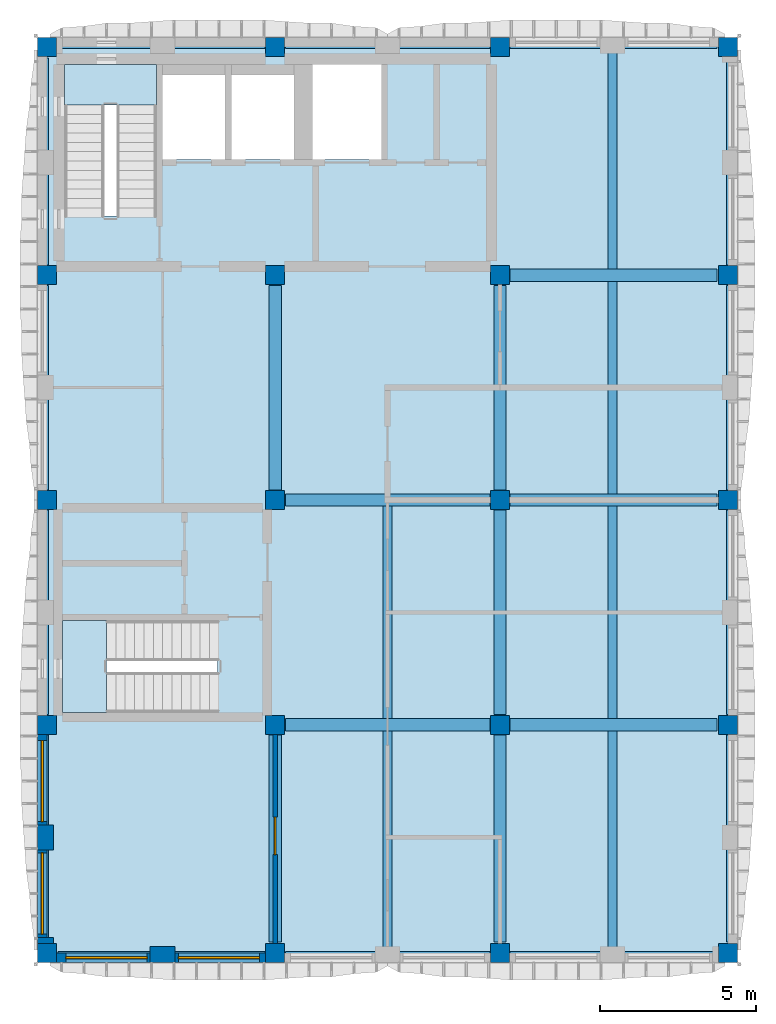
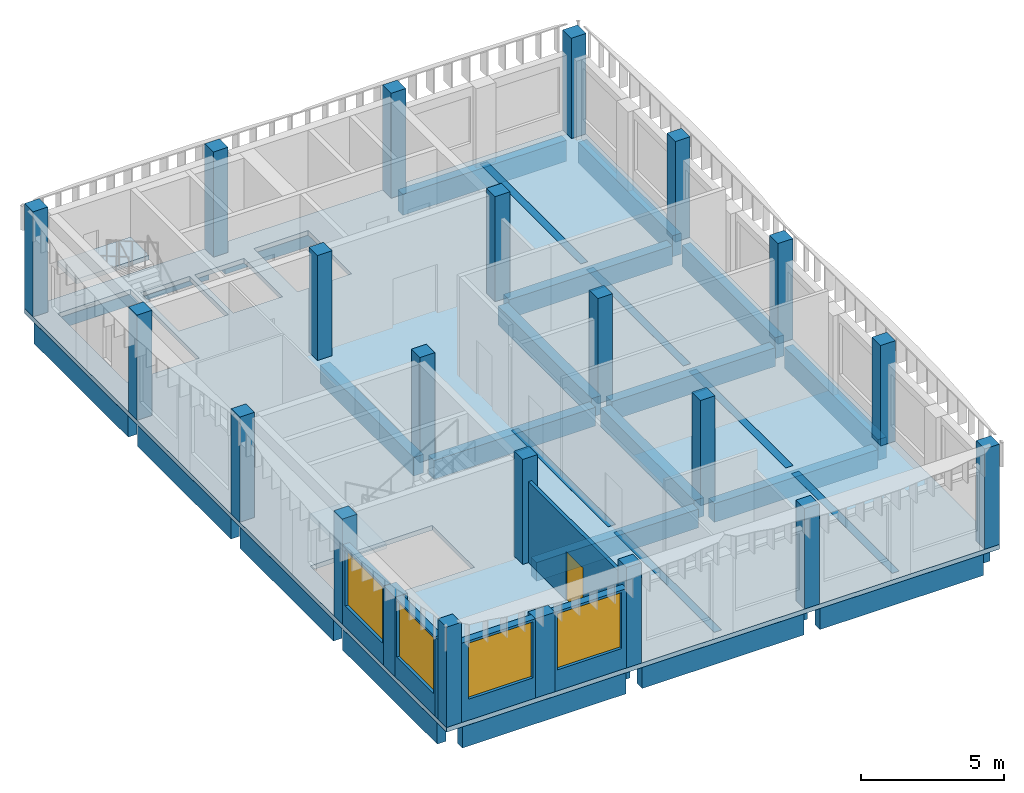
# One storey, part 1 of 10: 30 beams, 20 columns, 8 walls, 4 windows, 3 slabs, 1 door, 5 openings, 2 elements without a shape of their own.
"""IFC4 building model written with IfcOpenShell, lengths in metres."""

from ifc_helpers import new_model, si_unit, direction, frame, frame_2d, origin, origin_2d, place, context, subcontext, project, spatial, polyline, rectangle, outline, extrude, material, layer, layer_set, material_profile, profile_set, type_object, element, fill, aggregate, save


model = new_model("IFC4")

# Units and contexts
model_context = context("Model", 3, precision=1e-05, world=origin(), true_north=direction((0.0, 1.0)))
body_context = subcontext(model_context, "Body", "Model", "MODEL_VIEW")
ifc_project = project(units=[si_unit("LENGTHUNIT", "METRE"), si_unit("AREAUNIT", "SQUARE_METRE"), si_unit("VOLUMEUNIT", "CUBIC_METRE"), si_unit("PLANEANGLEUNIT", "RADIAN"), si_unit("MASSUNIT", "GRAM", prefix="KILO")], contexts=[model_context])

# Site, building, storey
site_placement = place(None, origin())
site = spatial("IfcSite", under=ifc_project, at=site_placement, CompositionType="ELEMENT")
building_placement = place(site_placement, origin())
building = spatial("IfcBuilding", under=site, at=building_placement, Name="Ussher Court Research Institute", CompositionType="ELEMENT")
storey_placement = place(building_placement, frame((0.0, 0.0, 36.89990234375)))
storey = spatial("IfcBuildingStorey", under=building, at=storey_placement, Name="L08", CompositionType="ELEMENT", Elevation=36.89990234375)

# Columns
ifc_material_1 = material(Name="Concrete C35/45", Category="concrete")
ifc_material_profile_1 = material_profile(ifc_material_1, rectangle(XDim=0.60009765625, YDim=0.60009765625, at=origin_2d()), Name="RC 600x600")
ifc_profile_set_1 = profile_set([ifc_material_profile_1], Name="Concrete C35/45")
column_type = type_object("IfcColumnType", Name="RC 600x600 column", PredefinedType="COLUMN", material=ifc_profile_set_1)
column_1_placement = place(storey_placement, frame((82.10009765625, 3.89990234375, 0.0), z_axis=(0.0, 0.0, 1.0), x_axis=(1.0, 0.0, 0.0)))
element("IfcColumn", 1, at=column_1_placement, inside=storey, type_object=column_type, Name="C6 V4 L08-01", PredefinedType="COLUMN", context=body_context, shape_type="SweptSolid", body=[
    extrude(rectangle(XDim=0.60009765625, YDim=0.60009765625, at=origin_2d()), origin(), (0.0, 0.0, 1.0), 4.300048828125),
])
for number, where, z_axis, x_axis, name in (
    (2, (82.10009765625, 11.199951171875, 0.0), (0.0, 0.0, 1.0), (1.0, 0.0, 0.0), "C6 V4 L08-02"),
    (3, (82.10009765625, 18.39990234375, 0.0), (0.0, 0.0, 1.0), (1.0, 0.0, 0.0), "C6 V4 L08-03"),
    (4, (82.10009765625, 25.60009765625, 0.0), (0.0, 0.0, 1.0), (1.0, 0.0, 0.0), "C6 V4 L08-04"),
    (5, (82.10009765625, 32.89990234375, 0.0), (0.0, 0.0, 1.0), (1.0, 0.0, 0.0), "C6 V4 L08-05"),
):
    element("IfcColumn", number, at=place(storey_placement, frame(where, z_axis=z_axis, x_axis=x_axis)), inside=storey, type_object=column_type, Name=name, PredefinedType="COLUMN", context=body_context, shape_type="SweptSolid", body=[
        extrude(rectangle(XDim=0.60009765625, YDim=0.60009765625, at=origin_2d()), origin(), (0.0, 0.0, 1.0), 4.5),
    ])
column_2_placement = place(storey_placement, frame((89.39990234375, 3.89990234375, 0.0), z_axis=(0.0, 0.0, 1.0), x_axis=(1.0, 0.0, 0.0)))
element("IfcColumn", 6, at=column_2_placement, inside=storey, type_object=column_type, Name="C6 V4 L08-06", PredefinedType="COLUMN", context=body_context, shape_type="SweptSolid", body=[
    extrude(rectangle(XDim=0.60009765625, YDim=0.60009765625, at=origin_2d()), origin(), (0.0, 0.0, 1.0), 4.300048828125),
])
for number, where, z_axis, x_axis, name in (
    (7, (89.39990234375, 11.199951171875, 0.0), (0.0, 0.0, 1.0), (1.0, 0.0, 0.0), "C6 V4 L08-07"),
    (8, (89.39990234375, 18.39990234375, 0.0), (0.0, 0.0, 1.0), (1.0, 0.0, 0.0), "C6 V4 L08-08"),
    (9, (89.39990234375, 25.60009765625, 0.0), (0.0, 0.0, 1.0), (1.0, 0.0, 0.0), "C6 V4 L08-09"),
    (10, (89.39990234375, 32.89990234375, 0.0), (0.0, 0.0, 1.0), (1.0, 0.0, 0.0), "C6 V4 L08-10"),
):
    element("IfcColumn", number, at=place(storey_placement, frame(where, z_axis=z_axis, x_axis=x_axis)), inside=storey, type_object=column_type, Name=name, PredefinedType="COLUMN", context=body_context, shape_type="SweptSolid", body=[
        extrude(rectangle(XDim=0.60009765625, YDim=0.60009765625, at=origin_2d()), origin(), (0.0, 0.0, 1.0), 4.5),
    ])
column_3_placement = place(storey_placement, frame((96.60009765625, 3.89990234375, 0.0), z_axis=(0.0, 0.0, 1.0), x_axis=(1.0, 0.0, 0.0)))
element("IfcColumn", 11, at=column_3_placement, inside=storey, type_object=column_type, Name="C6 V4 L08-11", PredefinedType="COLUMN", context=body_context, shape_type="SweptSolid", body=[
    extrude(rectangle(XDim=0.60009765625, YDim=0.60009765625, at=origin_2d()), origin(), (0.0, 0.0, 1.0), 4.300048828125),
])
for number, where, z_axis, x_axis, name in (
    (12, (96.60009765625, 11.199951171875, 0.0), (0.0, 0.0, 1.0), (1.0, 0.0, 0.0), "C6 V4 L08-12"),
    (13, (96.60009765625, 18.39990234375, 0.0), (0.0, 0.0, 1.0), (1.0, 0.0, 0.0), "C6 V4 L08-13"),
    (14, (96.60009765625, 25.60009765625, 0.0), (0.0, 0.0, 1.0), (1.0, 0.0, 0.0), "C6 V4 L08-14"),
    (15, (96.60009765625, 32.89990234375, 0.0), (0.0, 0.0, 1.0), (1.0, 0.0, 0.0), "C6 V4 L08-15"),
):
    element("IfcColumn", number, at=place(storey_placement, frame(where, z_axis=z_axis, x_axis=x_axis)), inside=storey, type_object=column_type, Name=name, PredefinedType="COLUMN", context=body_context, shape_type="SweptSolid", body=[
        extrude(rectangle(XDim=0.60009765625, YDim=0.60009765625, at=origin_2d()), origin(), (0.0, 0.0, 1.0), 4.5),
    ])
for number, where, z_axis, x_axis, name in (
    (16, (103.89990234375, 3.89990234375, 0.0), (0.0, 0.0, 1.0), (1.0, 0.0, 0.0), "C6 V4 L08-16"),
    (17, (103.89990234375, 11.199951171875, 0.0), (0.0, 0.0, 1.0), (1.0, 0.0, 0.0), "C6 V4 L08-17"),
    (18, (103.89990234375, 18.39990234375, 0.0), (0.0, 0.0, 1.0), (1.0, 0.0, 0.0), "C6 V4 L08-18"),
    (19, (103.89990234375, 25.60009765625, 0.0), (0.0, 0.0, 1.0), (1.0, 0.0, 0.0), "C6 V4 L08-19"),
    (20, (103.89990234375, 32.89990234375, 0.0), (0.0, 0.0, 1.0), (1.0, 0.0, 0.0), "C6 V4 L08-20"),
):
    element("IfcColumn", number, at=place(storey_placement, frame(where, z_axis=z_axis, x_axis=x_axis)), inside=storey, type_object=column_type, Name=name, PredefinedType="COLUMN", context=body_context, shape_type="SweptSolid", body=[
        extrude(rectangle(XDim=0.60009765625, YDim=0.60009765625, at=origin_2d()), origin(), (0.0, 0.0, 1.0), 4.300048828125),
    ])

# Beams
ifc_material_2 = material(Name="Concrete C35/45", Category="concrete")
ifc_material_profile_2 = material_profile(ifc_material_2, rectangle(XDim=0.300048828125, YDim=0.60009765625, at=origin_2d()), Name="RC 300x600")
ifc_profile_set_2 = profile_set([ifc_material_profile_2], Name="Concrete C35/45")
beam_type_1 = type_object("IfcBeamType", Name="RC 300x600 beam", PredefinedType="BEAM", material=ifc_profile_set_2)
beam_1_placement = place(storey_placement, frame((93.0, 3.949951171875, -0.2998046875), z_axis=(0.0, 1.0, 0.0), x_axis=(-1.0, 0.0, 0.0)))
element("IfcBeam", 21, at=beam_1_placement, inside=storey, type_object=beam_type_1, Name="B3 V4 L08-01", PredefinedType="BEAM", context=body_context, shape_type="SweptSolid", body=[
    extrude(rectangle(XDim=0.300048828125, YDim=0.60009765625, at=origin_2d()), origin(), (0.0, 0.0, 1.0), 7.050048828125),
])
beam_2_placement = place(storey_placement, frame((93.0, 11.39990234375, -0.2998046875), z_axis=(0.0, 1.0, 0.0), x_axis=(-1.0, 0.0, 0.0)))
element("IfcBeam", 22, at=beam_2_placement, inside=storey, type_object=beam_type_1, Name="B3 V4 L08-02", PredefinedType="BEAM", context=body_context, shape_type="SweptSolid", body=[
    extrude(rectangle(XDim=0.300048828125, YDim=0.60009765625, at=origin_2d()), origin(), (0.0, 0.0, 1.0), 6.800048828125),
])
beam_3_placement = place(storey_placement, frame((100.199951171875, 3.949951171875, -0.2998046875), z_axis=(0.0, 1.0, 0.0), x_axis=(-1.0, 0.0, 0.0)))
element("IfcBeam", 23, at=beam_3_placement, inside=storey, type_object=beam_type_1, Name="B3 V4 L08-03", PredefinedType="BEAM", context=body_context, shape_type="SweptSolid", body=[
    extrude(rectangle(XDim=0.300048828125, YDim=0.60009765625, at=origin_2d()), origin(), (0.0, 0.0, 1.0), 7.050048828125),
])
beam_4_placement = place(storey_placement, frame((100.199951171875, 11.39990234375, -0.2998046875), z_axis=(0.0, 1.0, 0.0), x_axis=(-1.0, 0.0, 0.0)))
element("IfcBeam", 24, at=beam_4_placement, inside=storey, type_object=beam_type_1, Name="B3 V4 L08-04", PredefinedType="BEAM", context=body_context, shape_type="SweptSolid", body=[
    extrude(rectangle(XDim=0.300048828125, YDim=0.60009765625, at=origin_2d()), origin(), (0.0, 0.0, 1.0), 6.800048828125),
])
beam_5_placement = place(storey_placement, frame((100.199951171875, 18.60009765625, -0.2998046875), z_axis=(0.0, 1.0, 0.0), x_axis=(-1.0, 0.0, 0.0)))
element("IfcBeam", 25, at=beam_5_placement, inside=storey, type_object=beam_type_1, Name="B3 V4 L08-05", PredefinedType="BEAM", context=body_context, shape_type="SweptSolid", body=[
    extrude(rectangle(XDim=0.300048828125, YDim=0.60009765625, at=origin_2d()), origin(), (0.0, 0.0, 1.0), 6.7998046875),
])
beam_6_placement = place(storey_placement, frame((100.199951171875, 25.800048828125, -0.2998046875), z_axis=(0.0, 1.0, 0.0), x_axis=(-1.0, 0.0, 0.0)))
element("IfcBeam", 26, at=beam_6_placement, inside=storey, type_object=beam_type_1, Name="B3 V4 L08-06", PredefinedType="BEAM", context=body_context, shape_type="SweptSolid", body=[
    extrude(rectangle(XDim=0.300048828125, YDim=0.60009765625, at=origin_2d()), origin(), (0.0, 0.0, 1.0), 7.050048828125),
])
ifc_material_3 = material(Name="Concrete C35/45", Category="concrete")
ifc_material_profile_3 = material_profile(ifc_material_3, rectangle(XDim=0.35009765625, YDim=0.89990234375, at=origin_2d()), Name="RC 350x900")
ifc_profile_set_3 = profile_set([ifc_material_profile_3], Name="Concrete C35/45")
beam_type_2 = type_object("IfcBeamType", Name="RC 350x900 beam", PredefinedType="BEAM", material=ifc_profile_set_3)
beam_7_placement = place(storey_placement, frame((82.449951171875, 3.77490234375, -0.64990234375), z_axis=(1.0, 0.0, 0.0), x_axis=(0.0, 1.0, 0.0)))
element("IfcBeam", 27, at=beam_7_placement, inside=storey, type_object=beam_type_2, Name="SB1 V4 L08-01", PredefinedType="BEAM", context=body_context, shape_type="SweptSolid", body=[
    extrude(rectangle(XDim=0.35009765625, YDim=0.89990234375, at=origin_2d()), origin(), (0.0, 0.0, 1.0), 6.625),
])
beam_8_placement = place(storey_placement, frame((89.72509765625, 3.77490234375, -0.64990234375), z_axis=(1.0, 0.0, 0.0), x_axis=(0.0, 1.0, 0.0)))
element("IfcBeam", 28, at=beam_8_placement, inside=storey, type_object=beam_type_2, Name="SB1 V4 L08-02", PredefinedType="BEAM", context=body_context, shape_type="SweptSolid", body=[
    extrude(rectangle(XDim=0.35009765625, YDim=0.89990234375, at=origin_2d()), origin(), (0.0, 0.0, 1.0), 6.5498046875),
])
for number, where, z_axis, x_axis, name in (
    (29, (96.925048828125, 3.77490234375, -0.64990234375), (1.0, 0.0, 0.0), (0.0, 1.0, 0.0), "SB1 V4 L08-03"),
    (30, (82.449951171875, 33.02490234375, -0.64990234375), (1.0, 0.0, 0.0), (0.0, 1.0, 0.0), "SB1 V4 L08-04"),
):
    element("IfcBeam", number, at=place(storey_placement, frame(where, z_axis=z_axis, x_axis=x_axis)), inside=storey, type_object=beam_type_2, Name=name, PredefinedType="BEAM", context=body_context, shape_type="SweptSolid", body=[
        extrude(rectangle(XDim=0.35009765625, YDim=0.89990234375, at=origin_2d()), origin(), (0.0, 0.0, 1.0), 6.625),
    ])
beam_9_placement = place(storey_placement, frame((89.72509765625, 33.02490234375, -0.64990234375), z_axis=(1.0, 0.0, 0.0), x_axis=(0.0, 1.0, 0.0)))
element("IfcBeam", 31, at=beam_9_placement, inside=storey, type_object=beam_type_2, Name="SB1 V4 L08-05", PredefinedType="BEAM", context=body_context, shape_type="SweptSolid", body=[
    extrude(rectangle(XDim=0.35009765625, YDim=0.89990234375, at=origin_2d()), origin(), (0.0, 0.0, 1.0), 6.5498046875),
])
for number, where, z_axis, x_axis, name in (
    (32, (96.925048828125, 33.02490234375, -0.64990234375), (1.0, 0.0, 0.0), (0.0, 1.0, 0.0), "SB1 V4 L08-06"),
    (33, (81.97509765625, 4.25, -0.64990234375), (0.0, 1.0, 0.0), (-1.0, 0.0, 0.0), "SB1 V4 L08-07"),
):
    element("IfcBeam", number, at=place(storey_placement, frame(where, z_axis=z_axis, x_axis=x_axis)), inside=storey, type_object=beam_type_2, Name=name, PredefinedType="BEAM", context=body_context, shape_type="SweptSolid", body=[
        extrude(rectangle(XDim=0.35009765625, YDim=0.89990234375, at=origin_2d()), origin(), (0.0, 0.0, 1.0), 6.625),
    ])
beam_10_placement = place(storey_placement, frame((81.97509765625, 11.52490234375, -0.64990234375), z_axis=(0.0, 1.0, 0.0), x_axis=(-1.0, 0.0, 0.0)))
element("IfcBeam", 34, at=beam_10_placement, inside=storey, type_object=beam_type_2, Name="SB1 V4 L08-08", PredefinedType="BEAM", context=body_context, shape_type="SweptSolid", body=[
    extrude(rectangle(XDim=0.35009765625, YDim=0.89990234375, at=origin_2d()), origin(), (0.0, 0.0, 1.0), 6.550048828125),
])
beam_11_placement = place(storey_placement, frame((81.97509765625, 18.72509765625, -0.64990234375), z_axis=(0.0, 1.0, 0.0), x_axis=(-1.0, 0.0, 0.0)))
element("IfcBeam", 35, at=beam_11_placement, inside=storey, type_object=beam_type_2, Name="SB1 V4 L08-09", PredefinedType="BEAM", context=body_context, shape_type="SweptSolid", body=[
    extrude(rectangle(XDim=0.35009765625, YDim=0.89990234375, at=origin_2d()), origin(), (0.0, 0.0, 1.0), 6.5498046875),
])
for number, where, z_axis, x_axis, name in (
    (36, (81.97509765625, 25.925048828125, -0.64990234375), (0.0, 1.0, 0.0), (-1.0, 0.0, 0.0), "SB1 V4 L08-10"),
    (37, (104.02490234375, 4.25, -0.64990234375), (0.0, 1.0, 0.0), (-1.0, 0.0, 0.0), "SB1 V4 L08-11"),
):
    element("IfcBeam", number, at=place(storey_placement, frame(where, z_axis=z_axis, x_axis=x_axis)), inside=storey, type_object=beam_type_2, Name=name, PredefinedType="BEAM", context=body_context, shape_type="SweptSolid", body=[
        extrude(rectangle(XDim=0.35009765625, YDim=0.89990234375, at=origin_2d()), origin(), (0.0, 0.0, 1.0), 6.625),
    ])
beam_12_placement = place(storey_placement, frame((104.02490234375, 11.52490234375, -0.64990234375), z_axis=(0.0, 1.0, 0.0), x_axis=(-1.0, 0.0, 0.0)))
element("IfcBeam", 38, at=beam_12_placement, inside=storey, type_object=beam_type_2, Name="SB1 V4 L08-12", PredefinedType="BEAM", context=body_context, shape_type="SweptSolid", body=[
    extrude(rectangle(XDim=0.35009765625, YDim=0.89990234375, at=origin_2d()), origin(), (0.0, 0.0, 1.0), 6.550048828125),
])
beam_13_placement = place(storey_placement, frame((104.02490234375, 18.72509765625, -0.64990234375), z_axis=(0.0, 1.0, 0.0), x_axis=(-1.0, 0.0, 0.0)))
element("IfcBeam", 39, at=beam_13_placement, inside=storey, type_object=beam_type_2, Name="SB1 V4 L08-13", PredefinedType="BEAM", context=body_context, shape_type="SweptSolid", body=[
    extrude(rectangle(XDim=0.35009765625, YDim=0.89990234375, at=origin_2d()), origin(), (0.0, 0.0, 1.0), 6.5498046875),
])
beam_14_placement = place(storey_placement, frame((104.02490234375, 25.925048828125, -0.64990234375), z_axis=(0.0, 1.0, 0.0), x_axis=(-1.0, 0.0, 0.0)))
element("IfcBeam", 40, at=beam_14_placement, inside=storey, type_object=beam_type_2, Name="SB1 V4 L08-14", PredefinedType="BEAM", context=body_context, shape_type="SweptSolid", body=[
    extrude(rectangle(XDim=0.35009765625, YDim=0.89990234375, at=origin_2d()), origin(), (0.0, 0.0, 1.0), 6.625),
])
ifc_material_4 = material(Name="Concrete C35/45", Category="concrete")
ifc_material_profile_4 = material_profile(ifc_material_4, rectangle(XDim=0.39990234375, YDim=0.800048828125, at=origin_2d()), Name="RC 400x800")
ifc_profile_set_4 = profile_set([ifc_material_profile_4], Name="Concrete C35/45")
beam_type_3 = type_object("IfcBeamType", Name="RC 400x800 beam", PredefinedType="BEAM", material=ifc_profile_set_4)
beam_15_placement = place(storey_placement, frame((89.72509765625, 11.199951171875, -0.599853515625), z_axis=(1.0, 0.0, 0.0), x_axis=(0.0, 1.0, 0.0)))
element("IfcBeam", 41, at=beam_15_placement, inside=storey, type_object=beam_type_3, Name="B17 V4 L08-01", PredefinedType="BEAM", context=body_context, shape_type="SweptSolid", body=[
    extrude(rectangle(XDim=0.39990234375, YDim=0.800048828125, at=origin_2d()), origin(), (0.0, 0.0, 1.0), 6.5498046875),
])
beam_16_placement = place(storey_placement, frame((96.925048828125, 11.199951171875, -0.599853515625), z_axis=(1.0, 0.0, 0.0), x_axis=(0.0, 1.0, 0.0)))
element("IfcBeam", 42, at=beam_16_placement, inside=storey, type_object=beam_type_3, Name="B17 V4 L08-02", PredefinedType="BEAM", context=body_context, shape_type="SweptSolid", body=[
    extrude(rectangle(XDim=0.39990234375, YDim=0.800048828125, at=origin_2d()), origin(), (0.0, 0.0, 1.0), 6.625),
])
beam_17_placement = place(storey_placement, frame((89.72509765625, 18.39990234375, -0.599853515625), z_axis=(1.0, 0.0, 0.0), x_axis=(0.0, 1.0, 0.0)))
element("IfcBeam", 43, at=beam_17_placement, inside=storey, type_object=beam_type_3, Name="B17 V4 L08-03", PredefinedType="BEAM", context=body_context, shape_type="SweptSolid", body=[
    extrude(rectangle(XDim=0.39990234375, YDim=0.800048828125, at=origin_2d()), origin(), (0.0, 0.0, 1.0), 6.5498046875),
])
for number, where, z_axis, x_axis, name in (
    (44, (96.925048828125, 18.39990234375, -0.599853515625), (1.0, 0.0, 0.0), (0.0, 1.0, 0.0), "B17 V4 L08-04"),
    (45, (96.925048828125, 25.60009765625, -0.599853515625), (1.0, 0.0, 0.0), (0.0, 1.0, 0.0), "B17 V4 L08-05"),
    (46, (89.39990234375, 4.25, -0.599853515625), (0.0, 1.0, 0.0), (-1.0, 0.0, 0.0), "B17 V4 L08-06"),
):
    element("IfcBeam", number, at=place(storey_placement, frame(where, z_axis=z_axis, x_axis=x_axis)), inside=storey, type_object=beam_type_3, Name=name, PredefinedType="BEAM", context=body_context, shape_type="SweptSolid", body=[
        extrude(rectangle(XDim=0.39990234375, YDim=0.800048828125, at=origin_2d()), origin(), (0.0, 0.0, 1.0), 6.625),
    ])
beam_18_placement = place(storey_placement, frame((89.39990234375, 18.72509765625, -0.599853515625), z_axis=(0.0, 1.0, 0.0), x_axis=(-1.0, 0.0, 0.0)))
element("IfcBeam", 47, at=beam_18_placement, inside=storey, type_object=beam_type_3, Name="B17 V4 L08-07", PredefinedType="BEAM", context=body_context, shape_type="SweptSolid", body=[
    extrude(rectangle(XDim=0.39990234375, YDim=0.800048828125, at=origin_2d()), origin(), (0.0, 0.0, 1.0), 6.5498046875),
])
beam_19_placement = place(storey_placement, frame((96.60009765625, 4.25, -0.599853515625), z_axis=(0.0, 1.0, 0.0), x_axis=(-1.0, 0.0, 0.0)))
element("IfcBeam", 48, at=beam_19_placement, inside=storey, type_object=beam_type_3, Name="B17 V4 L08-08", PredefinedType="BEAM", context=body_context, shape_type="SweptSolid", body=[
    extrude(rectangle(XDim=0.39990234375, YDim=0.800048828125, at=origin_2d()), origin(), (0.0, 0.0, 1.0), 6.625),
])
beam_20_placement = place(storey_placement, frame((96.60009765625, 11.52490234375, -0.599853515625), z_axis=(0.0, 1.0, 0.0), x_axis=(-1.0, 0.0, 0.0)))
element("IfcBeam", 49, at=beam_20_placement, inside=storey, type_object=beam_type_3, Name="B17 V4 L08-09", PredefinedType="BEAM", context=body_context, shape_type="SweptSolid", body=[
    extrude(rectangle(XDim=0.39990234375, YDim=0.800048828125, at=origin_2d()), origin(), (0.0, 0.0, 1.0), 6.550048828125),
])
beam_21_placement = place(storey_placement, frame((96.60009765625, 18.72509765625, -0.599853515625), z_axis=(0.0, 1.0, 0.0), x_axis=(-1.0, 0.0, 0.0)))
element("IfcBeam", 50, at=beam_21_placement, inside=storey, type_object=beam_type_3, Name="B17 V4 L08-10", PredefinedType="BEAM", context=body_context, shape_type="SweptSolid", body=[
    extrude(rectangle(XDim=0.39990234375, YDim=0.800048828125, at=origin_2d()), origin(), (0.0, 0.0, 1.0), 6.5498046875),
])

# Slab
ifc_material_5 = material(Name="Concrete C35/45", Category="concrete")
ifc_layer_1 = layer(ifc_material_5, 0.199951171875)
ifc_layer_set_1 = layer_set([ifc_layer_1], Name="Concrete C35/45")
slab_type_1 = type_object("IfcSlabType", Name="Floor slab 200", PredefinedType="FLOOR", material=ifc_layer_set_1)
slab_1_placement = place(storey_placement, frame((0.0, 0.0, -0.199951171875)))
element("IfcSlab", 51, at=slab_1_placement, inside=storey, type_object=slab_type_1, Name="FS200 V4 L08-01", PredefinedType="FLOOR", context=body_context, shape_type="SweptSolid", body=[
    extrude(outline(polyline([(81.800048828125, 3.60009765625), (104.199951171875, 3.60009765625), (104.199951171875, 33.199951171875), (81.800048828125, 33.199951171875), (81.800048828125, 3.60009765625)]), holes=[polyline([(82.60009765625, 14.550048828125), (87.550048828125, 14.550048828125), (87.550048828125, 11.60009765625), (82.60009765625, 11.60009765625), (82.60009765625, 14.550048828125)]), polyline([(85.60009765625, 32.35009765625), (85.60009765625, 27.5), (82.64990234375, 27.5), (82.64990234375, 32.35009765625), (85.60009765625, 32.35009765625)]), polyline([(85.800048828125, 32.0), (87.800048828125, 32.0), (87.800048828125, 29.300048828125), (85.800048828125, 29.300048828125), (85.800048828125, 32.0)]), polyline([(90.0, 32.0), (90.0, 29.300048828125), (88.0, 29.300048828125), (88.0, 32.0), (90.0, 32.0)]), polyline([(92.800048828125, 32.35009765625), (92.800048828125, 29.300048828125), (90.60009765625, 29.300048828125), (90.60009765625, 32.35009765625), (92.800048828125, 32.35009765625)])]), origin(), (0.0, 0.0, 1.0), 0.199951171875),
])

# Stair, slab
ifc_material_6 = material(Name="Concrete C35/45", Category="concrete")
stair_type_1 = type_object("IfcStairType", Name="Core stair 26 risers 173 mm x 300 going 1280 wide", PredefinedType="HALF_TURN_STAIR", material=ifc_material_6)
stair_1_placement = place(storey_placement, origin())
stair_1 = element("IfcStair", 52, at=stair_1_placement, inside=storey, type_object=stair_type_1, Name="L08 Stair T1", PredefinedType="HALF_TURN_STAIR")
ifc_material_7 = material(Name="Concrete C35/45", Category="concrete")
ifc_layer_2 = layer(ifc_material_7, 0.199951171875)
ifc_layer_set_2 = layer_set([ifc_layer_2], Name="Concrete C35/45")
slab_type_2 = type_object("IfcSlabType", Name="Stair landing 200 RC", PredefinedType="LANDING", material=ifc_layer_set_2)
slab_2_placement = place(storey_placement, frame((0.0, 0.0, 2.050048828125)))
slab_2 = element("IfcSlab", 53, at=slab_2_placement, type_object=slab_type_2, Name="T1 landing 1", PredefinedType="LANDING", context=body_context, shape_type="SweptSolid", body=[
    extrude(outline(polyline([(85.60009765625, 31.050048828125), (85.60009765625, 32.35009765625), (82.64990234375, 32.35009765625), (82.64990234375, 31.050048828125), (85.60009765625, 31.050048828125)])), origin(), (0.0, 0.0, 1.0), 0.199951171875),
])
aggregate(stair_1, [slab_2])

ifc_material_8 = material(Name="Concrete C35/45", Category="concrete")
stair_type_2 = type_object("IfcStairType", Name="Core stair 26 risers 173 mm x 300 going 1300 wide", PredefinedType="HALF_TURN_STAIR", material=ifc_material_8)
stair_2_placement = place(storey_placement, origin())
stair_2 = element("IfcStair", 54, at=stair_2_placement, inside=storey, type_object=stair_type_2, Name="L08 Stair T2", PredefinedType="HALF_TURN_STAIR")
slab_3_placement = place(storey_placement, frame((0.0, 0.0, 2.050048828125)))
slab_3 = element("IfcSlab", 55, at=slab_3_placement, type_object=slab_type_2, Name="T2 landing 1", PredefinedType="LANDING", context=body_context, shape_type="SweptSolid", body=[
    extrude(outline(polyline([(84.0, 14.550048828125), (82.60009765625, 14.550048828125), (82.60009765625, 11.60009765625), (84.0, 11.60009765625), (84.0, 14.550048828125)])), origin(), (0.0, 0.0, 1.0), 0.199951171875),
])
aggregate(stair_2, [slab_3])

# Wall, opening, window
ifc_material_9 = material(Name="Blockwork with cream render", Category="masonry")
ifc_layer_3 = layer(ifc_material_9, 0.300048828125)
ifc_layer_set_3 = layer_set([ifc_layer_3], Name="Blockwork with cream render")
wall_type_1 = type_object("IfcWallType", Name="External wall 300 cream render", PredefinedType="SOLIDWALL", material=ifc_layer_set_3)
wall_1_placement = place(storey_placement, frame((81.949951171875, 4.39990234375, 0.0), z_axis=(0.0, 0.0, 1.0), x_axis=(0.0, 1.0, 0.0)))
wall_1 = element("IfcWall", 56, at=wall_1_placement, inside=storey, type_object=wall_type_1, Name="External wall EW1 L08", PredefinedType="SOLIDWALL", context=body_context, shape_type="SweptSolid", body=[
    extrude(rectangle(XDim=2.800048828125, YDim=0.300048828125, at=frame_2d((1.39990234375, 0.0))), origin(), (0.0, 0.0, 1.0), 3.400146484375),
])
opening_1_placement = place(wall_1_placement, frame((0.10009765625, 0.0, 0.89990234375)))
opening_1 = element("IfcOpeningElement", 57, at=opening_1_placement, cuts=wall_1, Name="Opening W01", PredefinedType="OPENING", context=body_context, shape_type="SweptSolid", body=[
    extrude(rectangle(XDim=2.60009765625, YDim=2.39990234375, at=frame_2d((1.300048828125, 1.199951171875))), frame((0.0, 0.16015625, 0.0), z_axis=(0.0, -1.0, 0.0), x_axis=(1.0, 0.0, 0.0)), (0.0, 0.0, 1.0), 0.320068359375),
])
ifc_material_10 = material(Name="Bronze anodised aluminium with double glazing", Category="aluminium")
window_type = type_object("IfcWindowType", Name="Laboratory bay window 2600x2400", PartitioningType="DOUBLE_PANEL_VERTICAL", PredefinedType="WINDOW", material=ifc_material_10)
window_1_placement = place(opening_1_placement, origin())
window_1 = element("IfcWindow", 58, at=window_1_placement, inside=storey, type_object=window_type, Name="Window W01 L08", OverallHeight=2.39990234375, OverallWidth=2.60009765625, PartitioningType="SINGLE_PANEL", PredefinedType="WINDOW", context=body_context, shape_type="SweptSolid", body=[
    extrude(rectangle(XDim=2.60009765625, YDim=2.39990234375, at=frame_2d((1.300048828125, 1.199951171875))), frame((0.0, 0.030029296875, 0.0), z_axis=(0.0, -1.0, 0.0), x_axis=(1.0, 0.0, 0.0)), (0.0, 0.0, 1.0), 0.06005859375),
])
fill(opening_1, window_1)

wall_2_placement = place(storey_placement, frame((81.949951171875, 8.0, 0.0), z_axis=(0.0, 0.0, 1.0), x_axis=(0.0, 1.0, 0.0)))
wall_2 = element("IfcWall", 59, at=wall_2_placement, inside=storey, type_object=wall_type_1, Name="External wall EW1 L08", PredefinedType="SOLIDWALL", context=body_context, shape_type="SweptSolid", body=[
    extrude(rectangle(XDim=2.89990234375, YDim=0.300048828125, at=frame_2d((1.449951171875, 0.0))), origin(), (0.0, 0.0, 1.0), 3.400146484375),
])
opening_2_placement = place(wall_2_placement, frame((0.10009765625, 0.0, 0.89990234375)))
opening_2 = element("IfcOpeningElement", 60, at=opening_2_placement, cuts=wall_2, Name="Opening W01", PredefinedType="OPENING", context=body_context, shape_type="SweptSolid", body=[
    extrude(rectangle(XDim=2.60009765625, YDim=2.39990234375, at=frame_2d((1.300048828125, 1.199951171875))), frame((0.0, 0.16015625, 0.0), z_axis=(0.0, -1.0, 0.0), x_axis=(1.0, 0.0, 0.0)), (0.0, 0.0, 1.0), 0.320068359375),
])
window_2_placement = place(opening_2_placement, origin())
window_2 = element("IfcWindow", 61, at=window_2_placement, inside=storey, type_object=window_type, Name="Window W01 L08", OverallHeight=2.39990234375, OverallWidth=2.60009765625, PartitioningType="SINGLE_PANEL", PredefinedType="WINDOW", context=body_context, shape_type="SweptSolid", body=[
    extrude(rectangle(XDim=2.60009765625, YDim=2.39990234375, at=frame_2d((1.300048828125, 1.199951171875))), frame((0.0, 0.030029296875, 0.0), z_axis=(0.0, -1.0, 0.0), x_axis=(1.0, 0.0, 0.0)), (0.0, 0.0, 1.0), 0.06005859375),
])
fill(opening_2, window_2)

wall_3_placement = place(storey_placement, frame((89.10009765625, 3.75, 0.0), z_axis=(0.0, 0.0, 1.0), x_axis=(-1.0, 0.0, 0.0)))
wall_3 = element("IfcWall", 62, at=wall_3_placement, inside=storey, type_object=wall_type_1, Name="External wall EW1 L08", PredefinedType="SOLIDWALL", context=body_context, shape_type="SweptSolid", body=[
    extrude(rectangle(XDim=2.900146484375, YDim=0.300048828125, at=frame_2d((1.4501953125, 0.0))), origin(), (0.0, 0.0, 1.0), 3.400146484375),
])
opening_3_placement = place(wall_3_placement, frame((0.199951171875, 0.0, 0.89990234375)))
opening_3 = element("IfcOpeningElement", 63, at=opening_3_placement, cuts=wall_3, Name="Opening W01", PredefinedType="OPENING", context=body_context, shape_type="SweptSolid", body=[
    extrude(rectangle(XDim=2.60009765625, YDim=2.39990234375, at=frame_2d((1.300048828125, 1.199951171875))), frame((0.0, 0.16015625, 0.0), z_axis=(0.0, -1.0, 0.0), x_axis=(1.0, 0.0, 0.0)), (0.0, 0.0, 1.0), 0.320068359375),
])
window_3_placement = place(opening_3_placement, origin())
window_3 = element("IfcWindow", 64, at=window_3_placement, inside=storey, type_object=window_type, Name="Window W01 L08", OverallHeight=2.39990234375, OverallWidth=2.60009765625, PartitioningType="SINGLE_PANEL", PredefinedType="WINDOW", context=body_context, shape_type="SweptSolid", body=[
    extrude(rectangle(XDim=2.60009765625, YDim=2.39990234375, at=frame_2d((1.300048828125, 1.199951171875))), frame((0.0, 0.030029296875, 0.0), z_axis=(0.0, -1.0, 0.0), x_axis=(1.0, 0.0, 0.0)), (0.0, 0.0, 1.0), 0.06005859375),
])
fill(opening_3, window_3)

wall_4_placement = place(storey_placement, frame((85.39990234375, 3.75, 0.0), z_axis=(0.0, 0.0, 1.0), x_axis=(-1.0, 0.0, 0.0)))
wall_4 = element("IfcWall", 65, at=wall_4_placement, inside=storey, type_object=wall_type_1, Name="External wall EW1 L08", PredefinedType="SOLIDWALL", context=body_context, shape_type="SweptSolid", body=[
    extrude(rectangle(XDim=3.0, YDim=0.300048828125, at=frame_2d((1.5, 0.0))), origin(), (0.0, 0.0, 1.0), 3.400146484375),
])
opening_4_placement = place(wall_4_placement, frame((0.10009765625, 0.0, 0.89990234375)))
opening_4 = element("IfcOpeningElement", 66, at=opening_4_placement, cuts=wall_4, Name="Opening W01", PredefinedType="OPENING", context=body_context, shape_type="SweptSolid", body=[
    extrude(rectangle(XDim=2.60009765625, YDim=2.39990234375, at=frame_2d((1.300048828125, 1.199951171875))), frame((0.0, 0.16015625, 0.0), z_axis=(0.0, -1.0, 0.0), x_axis=(1.0, 0.0, 0.0)), (0.0, 0.0, 1.0), 0.320068359375),
])
window_4_placement = place(opening_4_placement, origin())
window_4 = element("IfcWindow", 67, at=window_4_placement, inside=storey, type_object=window_type, Name="Window W01 L08", OverallHeight=2.39990234375, OverallWidth=2.60009765625, PartitioningType="SINGLE_PANEL", PredefinedType="WINDOW", context=body_context, shape_type="SweptSolid", body=[
    extrude(rectangle(XDim=2.60009765625, YDim=2.39990234375, at=frame_2d((1.300048828125, 1.199951171875))), frame((0.0, 0.030029296875, 0.0), z_axis=(0.0, -1.0, 0.0), x_axis=(1.0, 0.0, 0.0)), (0.0, 0.0, 1.0), 0.06005859375),
])
fill(opening_4, window_4)

# Wall, opening, door
ifc_material_11 = material(Name="Plastered blockwork", Category="masonry")
ifc_layer_4 = layer(ifc_material_11, 0.139892578125)
ifc_layer_set_4 = layer_set([ifc_layer_4], Name="Plastered blockwork")
wall_type_2 = type_object("IfcWallType", Name="Laboratory blockwork partition 140", PredefinedType="PARTITIONING", material=ifc_layer_set_4)
wall_5_placement = place(storey_placement, frame((89.39990234375, 4.199951171875, 0.0), z_axis=(0.0, 0.0, 1.0), x_axis=(0.0, 1.0, 0.0)))
wall_5 = element("IfcWall", 68, at=wall_5_placement, inside=storey, type_object=wall_type_2, Name="Partition", PredefinedType="PARTITIONING", context=body_context, shape_type="SweptSolid", body=[
    extrude(rectangle(XDim=6.699951171875, YDim=0.139892578125, at=frame_2d((3.35009765625, 0.0))), origin(), (0.0, 0.0, 1.0), 3.47021484375),
])
opening_5_placement = place(wall_5_placement, frame((2.85009765625, 0.0, 0.0)))
opening_5 = element("IfcOpeningElement", 69, at=opening_5_placement, cuts=wall_5, Name="Opening D08009", PredefinedType="OPENING", context=body_context, shape_type="SweptSolid", body=[
    extrude(rectangle(XDim=1.199951171875, YDim=2.10009765625, at=frame_2d((0.60009765625, 1.050048828125))), frame((0.0, 0.080078125, 0.0), z_axis=(0.0, -1.0, 0.0), x_axis=(1.0, 0.0, 0.0)), (0.0, 0.0, 1.0), 0.159912109375),
])
ifc_material_12 = material(Name="Veneered timber door", Category="wood")
door_type = type_object("IfcDoorType", Name="Laboratory door 1200x2100", OperationType="NOTDEFINED", PredefinedType="DOOR", material=ifc_material_12)
door_placement = place(opening_5_placement, origin())
door = element("IfcDoor", 70, at=door_placement, inside=storey, type_object=door_type, Name="Door D08009", OperationType="SINGLE_SWING_RIGHT", OverallHeight=2.10009765625, OverallWidth=1.199951171875, PredefinedType="DOOR", context=body_context, shape_type="SweptSolid", body=[
    extrude(rectangle(XDim=1.199951171875, YDim=2.10009765625, at=frame_2d((0.60009765625, 1.050048828125))), frame((0.0, 0.02490234375, 0.0), z_axis=(0.0, -1.0, 0.0), x_axis=(1.0, 0.0, 0.0)), (0.0, 0.0, 1.0), 0.050048828125),
])
fill(opening_5, door)

# Walls
ifc_material_13 = material(Name="Blockwork with cream render", Category="masonry")
ifc_layer_5 = layer(ifc_material_13, 0.5)
ifc_layer_set_5 = layer_set([ifc_layer_5], Name="Blockwork with cream render")
wall_type_3 = type_object("IfcWallType", Name="Pier 800x500 cream render", PredefinedType="SOLIDWALL", material=ifc_layer_set_5)
wall_6_placement = place(storey_placement, frame((82.050048828125, 3.60009765625, 0.0), z_axis=(0.0, 0.0, 1.0), x_axis=(0.0, 1.0, 0.0)))
element("IfcWall", 71, at=wall_6_placement, inside=storey, type_object=wall_type_3, Name="Pier PR1 L08", PredefinedType="SOLIDWALL", context=body_context, shape_type="SweptSolid", body=[
    extrude(rectangle(XDim=0.7998046875, YDim=0.5, at=frame_2d((0.39990234375, 0.0))), origin(), (0.0, 0.0, 1.0), 3.400146484375),
])
for number, where, z_axis, x_axis, name in (
    (72, (82.050048828125, 7.199951171875, 0.0), (0.0, 0.0, 1.0), (0.0, 1.0, 0.0), "Pier PR1 L08"),
    (73, (86.199951171875, 3.85009765625, 0.0), (0.0, 0.0, 1.0), (-1.0, 0.0, 0.0), "Pier PR1 L08"),
):
    element("IfcWall", number, at=place(storey_placement, frame(where, z_axis=z_axis, x_axis=x_axis)), inside=storey, type_object=wall_type_3, Name=name, PredefinedType="SOLIDWALL", context=body_context, shape_type="SweptSolid", body=[
        extrude(rectangle(XDim=0.800048828125, YDim=0.5, at=frame_2d((0.39990234375, 0.0))), origin(), (0.0, 0.0, 1.0), 3.400146484375),
    ])

save(model, "model.ifc")
